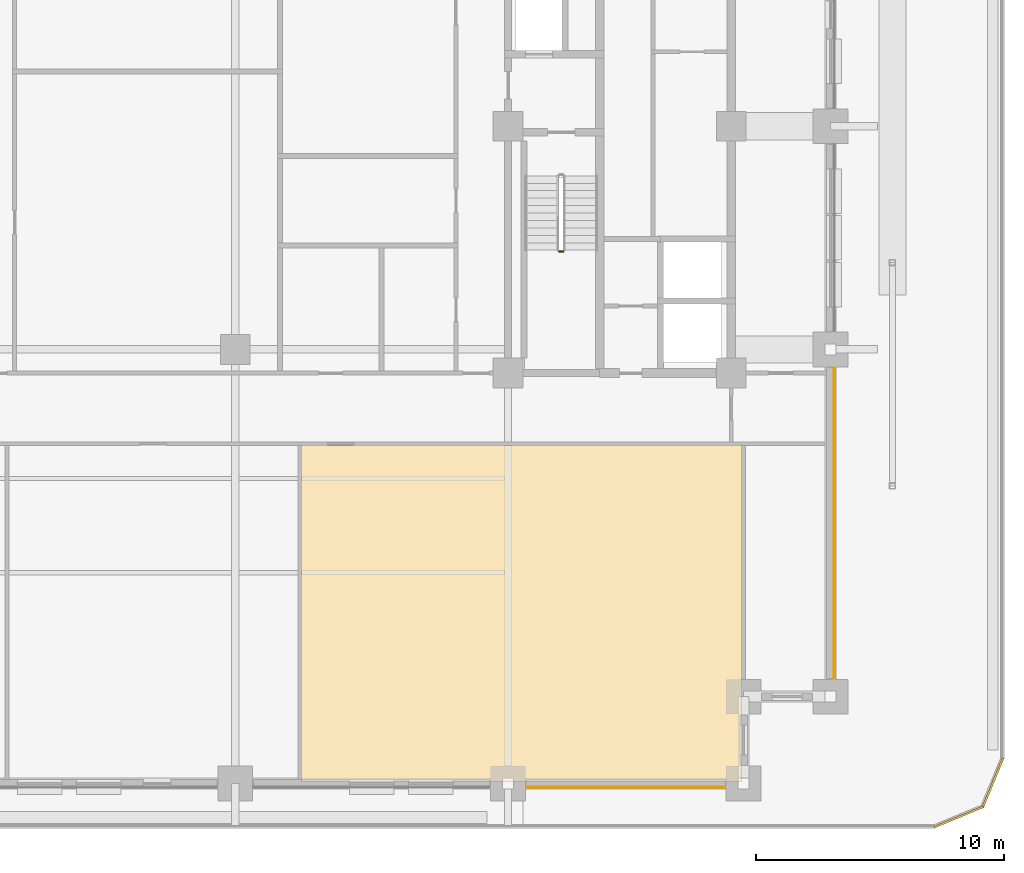
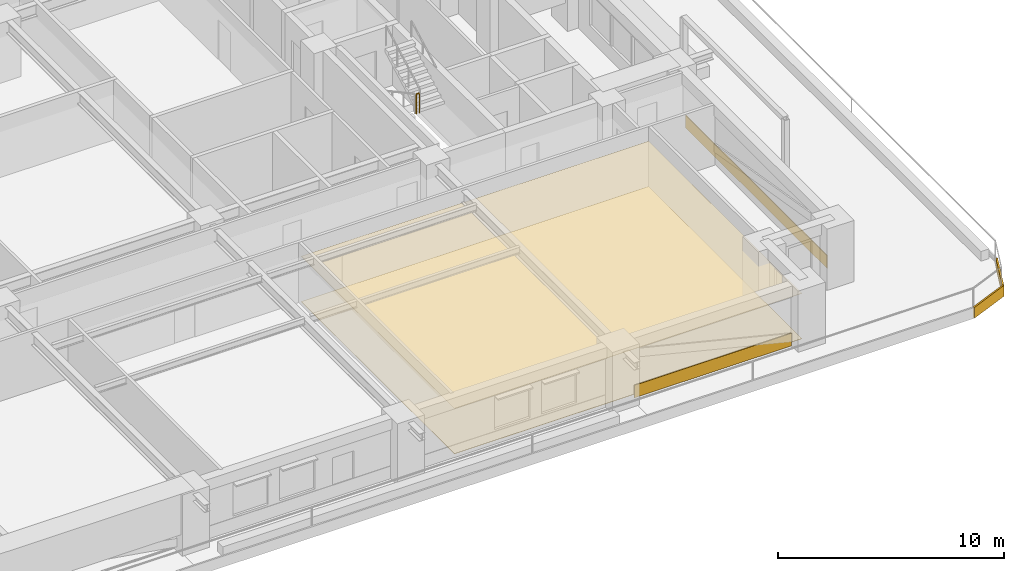
# One storey, part 16 of 18: 6 coverings, 1 railing.
"""IFC4 building model written with IfcOpenShell, lengths in metres."""

from ifc_helpers import new_model, si_unit, direction, frame, frame_2d, origin, origin_2d, place, context, subcontext, project, spatial, polyline, rectangle, outline, extrude, material, layer, layer_set, type_object, element, save


model = new_model("IFC4")

# Units and contexts
model_context = context("Model", 3, precision=1e-05, world=origin(), true_north=direction((0.0, 1.0)))
body_context = subcontext(model_context, "Body", "Model", "MODEL_VIEW")
ifc_project = project(units=[si_unit("LENGTHUNIT", "METRE"), si_unit("AREAUNIT", "SQUARE_METRE"), si_unit("VOLUMEUNIT", "CUBIC_METRE"), si_unit("PLANEANGLEUNIT", "RADIAN"), si_unit("MASSUNIT", "GRAM", prefix="KILO")], contexts=[model_context])

# Site, building, storey
site_placement = place(None, origin())
site = spatial("IfcSite", under=ifc_project, at=site_placement, CompositionType="ELEMENT")
building_placement = place(site_placement, origin())
building = spatial("IfcBuilding", under=site, at=building_placement, Name="Zulmaris Gate Convention Tower", CompositionType="ELEMENT")
storey_placement = place(building_placement, frame((0.0, 0.0, 57.18994140625)))
storey = spatial("IfcBuildingStorey", under=building, at=storey_placement, Name="L13", CompositionType="ELEMENT", Elevation=57.18994140625)

# Coverings
ifc_material_1 = material(Name="Precast concrete C40/50", Category="concrete")
ifc_layer_1 = layer(ifc_material_1, 0.0400390625, Name="Precast concrete C40/50")
ifc_layer_set_1 = layer_set([ifc_layer_1], Name="Precast concrete C40/50")
covering_type_1 = type_object("IfcCoveringType", Name="CLAD-SPANDREL-PRECAST", PredefinedType="CLADDING", material=ifc_layer_set_1)
covering_1_placement = place(storey_placement, frame((11.72998046875, -26.64990234375, 0.0), z_axis=(0.0, 0.0, 1.0), x_axis=(1.0, 0.0, 0.0)))
element("IfcCovering", 1, at=covering_1_placement, inside=storey, type_object=covering_type_1, Name="CLD-L13-S-3_0", PredefinedType="CLADDING", context=body_context, shape_type="SweptSolid", body=[
    extrude(rectangle(XDim=8.0400390625, YDim=0.0400390625, at=frame_2d((4.02001953125, 0.0))), origin(), (0.0, 0.0, 1.0), 0.679931640625),
])
covering_2_placement = place(storey_placement, frame((24.14990234375, -22.27001953125, 0.0), z_axis=(0.0, 0.0, 1.0), x_axis=(0.0, 1.0, 0.0)))
element("IfcCovering", 2, at=covering_2_placement, inside=storey, type_object=covering_type_1, Name="CLD-L13-E-0_0", PredefinedType="CLADDING", context=body_context, shape_type="SweptSolid", body=[
    extrude(rectangle(XDim=12.5400390625, YDim=0.0400390625, at=frame_2d((6.27001953125, 0.0))), origin(), (0.0, 0.0, 1.0), 0.679931640625),
])
ifc_material_2 = material(Name="White Glazed Architectural Precast Concrete C40/50", Category="concrete")
ifc_layer_2 = layer(ifc_material_2, 0.080078125, Name="White Glazed Architectural Precast Concrete C40/50")
ifc_layer_set_2 = layer_set([ifc_layer_2], Name="White Glazed Architectural Precast Concrete C40/50")
covering_type_2 = type_object("IfcCoveringType", Name="CLAD-TRAY-FASCIA", PredefinedType="CLADDING", material=ifc_layer_set_2)
covering_3_placement = place(storey_placement, frame((28.184814453125, -28.262939453125, -0.465087890625), z_axis=(0.0, 0.0, 1.0), x_axis=(0.923873803533, 0.382697263049, 0.0)))
element("IfcCovering", 3, at=covering_3_placement, inside=storey, type_object=covering_type_2, Name="FSC-L13-TR-03", PredefinedType="CLADDING", context=body_context, shape_type="SweptSolid", body=[
    extrude(rectangle(XDim=2.142822265625, YDim=0.080078125, at=frame_2d((1.0712890625, 0.0))), origin(), (0.0, 0.0, 1.0), 0.5849609375),
])
covering_4_placement = place(storey_placement, frame((30.142822265625, -27.464599609375, -0.465087890625), z_axis=(0.0, 0.0, 1.0), x_axis=(0.382656984709, 0.923890487046, 0.0)))
element("IfcCovering", 4, at=covering_4_placement, inside=storey, type_object=covering_type_2, Name="FSC-L13-TR-04", PredefinedType="CLADDING", context=body_context, shape_type="SweptSolid", body=[
    extrude(rectangle(XDim=2.14306640625, YDim=0.080078125, at=frame_2d((1.071533203125, 0.0))), origin(), (0.0, 0.0, 1.0), 0.5849609375),
])
ifc_material_3 = material(Name="Mineral Fibre Acoustic Ceiling Tile")
ifc_layer_3 = layer(ifc_material_3, 0.02001953125, Name="Mineral Fibre Acoustic Ceiling Tile")
ifc_layer_set_3 = layer_set([ifc_layer_3], Name="Mineral Fibre Acoustic Ceiling Tile")
covering_type_3 = type_object("IfcCoveringType", Name="CLG-ACOUSTIC-600", PredefinedType="CEILING", material=ifc_layer_set_3)
covering_5_placement = place(storey_placement, frame((0.0, 0.0, 2.453125)))
element("IfcCovering", 5, at=covering_5_placement, inside=storey, type_object=covering_type_3, Name="CLG-L13-R43", PredefinedType="CEILING", context=body_context, shape_type="SweptSolid", body=[
    extrude(outline(polyline([(2.659912109375, -26.43994140625), (20.43994140625, -26.43994140625), (20.43994140625, -12.860107421875), (2.659912109375, -12.860107421875), (2.659912109375, -26.43994140625)])), origin(), (0.0, 0.0, 1.0), 0.02001953125),
])
ifc_material_4 = material(Name="Woven Acoustic Wool Carpet Tile")
ifc_layer_4 = layer(ifc_material_4, 0.02001953125, Name="Woven Acoustic Wool Carpet Tile")
ifc_layer_set_4 = layer_set([ifc_layer_4], Name="Woven Acoustic Wool Carpet Tile")
covering_type_4 = type_object("IfcCoveringType", Name="FLR-CARPET-12", PredefinedType="FLOORING", material=ifc_layer_set_4)
covering_6_placement = place(storey_placement, origin())
element("IfcCovering", 6, at=covering_6_placement, inside=storey, type_object=covering_type_4, Name="FLR-L13-R43", PredefinedType="FLOORING", context=body_context, shape_type="SweptSolid", body=[
    extrude(outline(polyline([(2.659912109375, -26.43994140625), (20.43994140625, -26.43994140625), (20.43994140625, -12.860107421875), (2.659912109375, -12.860107421875), (2.659912109375, -26.43994140625)])), origin(), (0.0, 0.0, 1.0), 0.02001953125),
])

# Railing
ifc_material_5 = material(Name="Painted Galvanised Steel", Category="steel")
railing_type = type_object("IfcRailingType", Name="RL-STG-1150", PredefinedType="GUARDRAIL", material=ifc_material_5)
railing_placement = place(storey_placement, frame((13.06005859375, -5.050048828125, 1.784912109375)))
element("IfcRailing", 7, at=railing_placement, inside=storey, type_object=railing_type, Name="L13 ST-2 stair guard 2", PredefinedType="GUARDRAIL", context=body_context, shape_type="SweptSolid", body=[
    extrude(rectangle(XDim=0.048095703125, YDim=0.048095703125, at=origin_2d()), frame((0.0, 0.0, 1.076171875), z_axis=(1.0, 0.0, 0.0), x_axis=(0.0, 1.0, 0.0)), (0.0, 0.0, 1.0), 0.159912109375),
    extrude(rectangle(XDim=0.0419921875, YDim=0.0419921875, at=origin_2d()), origin(), (0.0, 0.0, 1.0), 1.052001953125),
    extrude(rectangle(XDim=0.0419921875, YDim=0.0419921875, at=origin_2d()), frame((0.159912109375, 0.0, 0.0)), (0.0, 0.0, 1.0), 1.052001953125),
])

save(model, "model.ifc")
